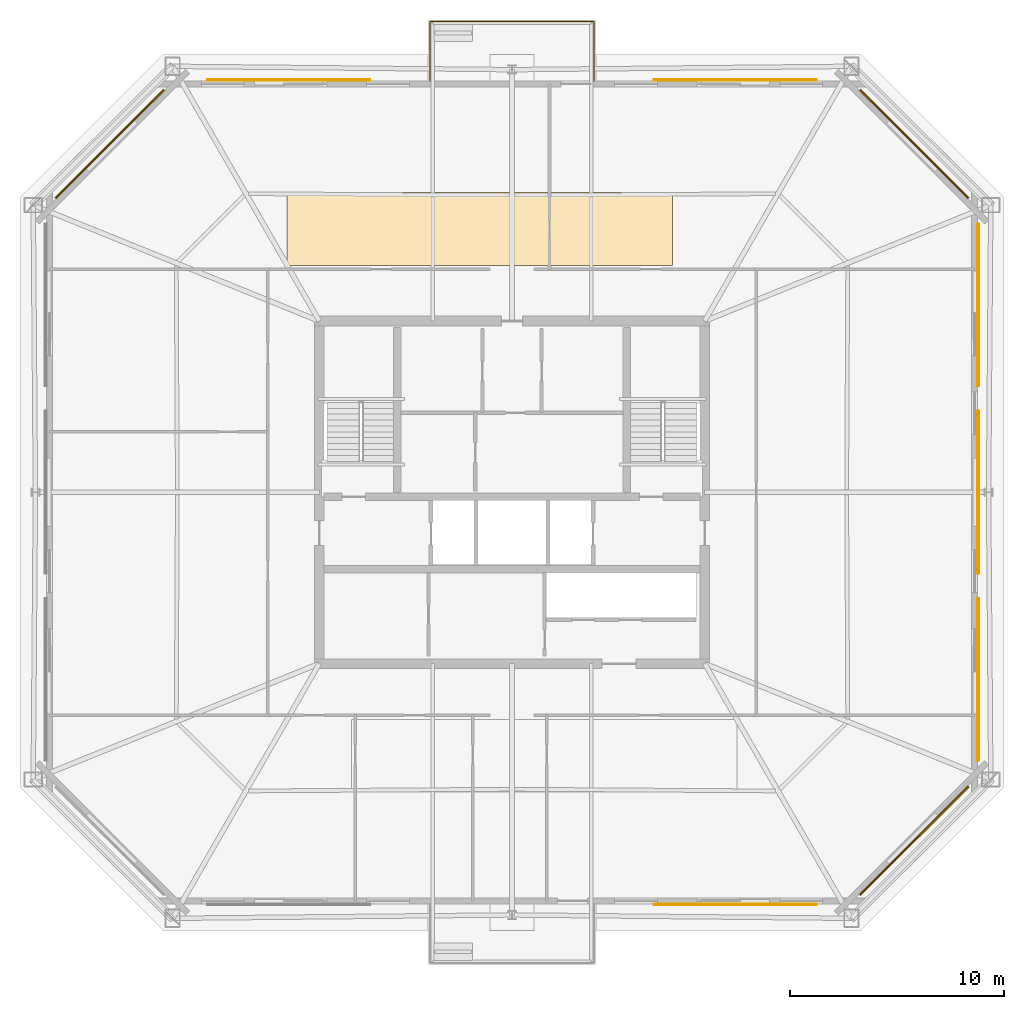
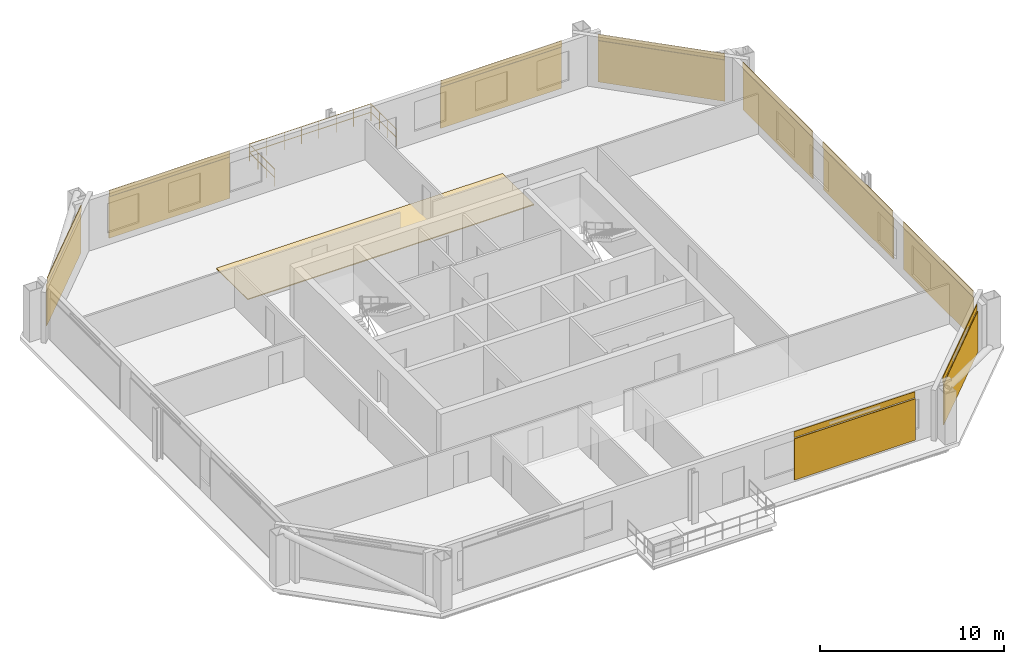
# One storey, part 7 of 7: 10 coverings, 9 shading devices, 1 railing.
"""IFC4 building model written with IfcOpenShell, lengths in metres."""

from ifc_helpers import new_model, si_unit, direction, frame, origin, origin_2d, place, context, subcontext, project, spatial, polyline, rectangle, circle, outline, extrude, material, layer, layer_set, type_object, element, save


model = new_model("IFC4")

# Units and contexts
model_context = context("Model", 3, precision=1e-05, world=origin(), true_north=direction((0.0, 1.0)))
body_context = subcontext(model_context, "Body", "Model", "MODEL_VIEW")
ifc_project = project(units=[si_unit("LENGTHUNIT", "METRE"), si_unit("AREAUNIT", "SQUARE_METRE"), si_unit("VOLUMEUNIT", "CUBIC_METRE"), si_unit("PLANEANGLEUNIT", "RADIAN"), si_unit("MASSUNIT", "GRAM", prefix="KILO")], contexts=[model_context])

# Site, building, storey
site_placement = place(None, origin())
site = spatial("IfcSite", under=ifc_project, at=site_placement, CompositionType="ELEMENT")
building_placement = place(site_placement, origin())
building = spatial("IfcBuilding", under=site, at=building_placement, Name="Caelvoria Tower", CompositionType="ELEMENT")
storey_placement = place(building_placement, frame((0.0, 0.0, 187.800048828125)))
storey = spatial("IfcBuildingStorey", under=building, at=storey_placement, Name="L49", CompositionType="ELEMENT", Elevation=187.800048828125)

# Railing
ifc_material_1 = material(Name="Bronze Anodised Aluminium and Stainless Steel", Category="steel")
railing_type = type_object("IfcRailingType", Name="Exterior Terrace and Balcony Guardrail 1150", PredefinedType="GUARDRAIL", material=ifc_material_1)
railing_placement = place(storey_placement, frame((42.179931640625, 51.219970703125, 0.0)))
element("IfcRailing", 1, at=railing_placement, inside=storey, type_object=railing_type, Name="Tree Balcony Guardrail TB-L49-N", PredefinedType="GUARDRAIL", context=body_context, shape_type="SweptSolid", body=[
    extrude(circle(Radius=0.02392578125, at=origin_2d()), frame((0.0, 0.0, 1.1259765625), z_axis=(0.0, 1.0, 0.0), x_axis=(-1.0, 0.0, 0.0)), (0.0, 0.0, 1.0), 2.760009765625),
    extrude(circle(Radius=0.02392578125, at=origin_2d()), frame((0.0, 0.0, 0.574951171875), z_axis=(0.0, 1.0, 0.0), x_axis=(-1.0, 0.0, 0.0)), (0.0, 0.0, 1.0), 2.760009765625),
    extrude(circle(Radius=0.02392578125, at=origin_2d()), frame((0.0, 2.760009765625, 1.1259765625), z_axis=(1.0, 0.0, 0.0), x_axis=(0.0, 1.0, 0.0)), (0.0, 0.0, 1.0), 7.64013671875),
    extrude(circle(Radius=0.02392578125, at=origin_2d()), frame((0.0, 2.760009765625, 0.574951171875), z_axis=(1.0, 0.0, 0.0), x_axis=(0.0, 1.0, 0.0)), (0.0, 0.0, 1.0), 7.64013671875),
    extrude(circle(Radius=0.02392578125, at=origin_2d()), frame((7.64013671875, 2.760009765625, 1.1259765625), z_axis=(0.0, -1.0, 0.0), x_axis=(1.0, 0.0, 0.0)), (0.0, 0.0, 1.0), 2.760009765625),
    extrude(circle(Radius=0.02392578125, at=origin_2d()), frame((7.64013671875, 2.760009765625, 0.574951171875), z_axis=(0.0, -1.0, 0.0), x_axis=(1.0, 0.0, 0.0)), (0.0, 0.0, 1.0), 2.760009765625),
    extrude(circle(Radius=0.02099609375, at=origin_2d()), origin(), (0.0, 0.0, 1.0), 1.101806640625),
    extrude(circle(Radius=0.02099609375, at=origin_2d()), frame((0.0, 0.919921875, 0.0)), (0.0, 0.0, 1.0), 1.101806640625),
    extrude(circle(Radius=0.02099609375, at=origin_2d()), frame((0.0, 1.840087890625, 0.0)), (0.0, 0.0, 1.0), 1.101806640625),
    extrude(circle(Radius=0.02099609375, at=origin_2d()), frame((0.0, 2.760009765625, 0.0)), (0.0, 0.0, 1.0), 1.101806640625),
    extrude(circle(Radius=0.02099609375, at=origin_2d()), frame((1.091552734375, 2.760009765625, 0.0)), (0.0, 0.0, 1.0), 1.101806640625),
    extrude(circle(Radius=0.02099609375, at=origin_2d()), frame((2.182861328125, 2.760009765625, 0.0)), (0.0, 0.0, 1.0), 1.101806640625),
    extrude(circle(Radius=0.02099609375, at=origin_2d()), frame((3.2744140625, 2.760009765625, 0.0)), (0.0, 0.0, 1.0), 1.101806640625),
    extrude(circle(Radius=0.02099609375, at=origin_2d()), frame((4.36572265625, 2.760009765625, 0.0)), (0.0, 0.0, 1.0), 1.101806640625),
    extrude(circle(Radius=0.02099609375, at=origin_2d()), frame((5.457275390625, 2.760009765625, 0.0)), (0.0, 0.0, 1.0), 1.101806640625),
    extrude(circle(Radius=0.02099609375, at=origin_2d()), frame((6.548583984375, 2.760009765625, 0.0)), (0.0, 0.0, 1.0), 1.101806640625),
    extrude(circle(Radius=0.02099609375, at=origin_2d()), frame((7.64013671875, 2.760009765625, 0.0)), (0.0, 0.0, 1.0), 1.101806640625),
    extrude(circle(Radius=0.02099609375, at=origin_2d()), frame((7.64013671875, 1.840087890625, 0.0)), (0.0, 0.0, 1.0), 1.101806640625),
    extrude(circle(Radius=0.02099609375, at=origin_2d()), frame((7.64013671875, 0.919921875, 0.0)), (0.0, 0.0, 1.0), 1.101806640625),
    extrude(circle(Radius=0.02099609375, at=origin_2d()), frame((7.64013671875, 0.0, 0.0)), (0.0, 0.0, 1.0), 1.101806640625),
])

# Coverings
ifc_material_2 = material(Name="Perforated Architectural Bronze Cladding Screen", Category="bronze")
ifc_layer_1 = layer(ifc_material_2, 0.0400390625, Name="Perforated Architectural Bronze Cladding Screen")
ifc_layer_set_1 = layer_set([ifc_layer_1], Name="Perforated Bronze Louvre Cladding Band 40 - Perforated Architectural Bronze Cladding Screen")
covering_type_1 = type_object("IfcCoveringType", Name="Perforated Bronze Louvre Cladding Band 40", PredefinedType="CLADDING", material=ifc_layer_set_1)
covering_1_placement = place(storey_placement, frame((56.4267578125, 12.76806640625, 2.955078125), z_axis=(0.0, 0.0, 1.0), x_axis=(1.0, 0.0, 0.0)))
element("IfcCovering", 2, at=covering_1_placement, inside=storey, type_object=covering_type_1, Name="Perforated Bronze Screen Band L49-E0-02", PredefinedType="CLADDING", context=body_context, shape_type="SweptSolid", body=[
    extrude(rectangle(XDim=7.60009765625, YDim=0.0400390625, at=origin_2d()), origin(), (0.0, 0.0, 1.0), 0.39990234375),
])
covering_2_placement = place(storey_placement, frame((64.771728515625, 15.748291015625, 2.955078125), z_axis=(0.0, 0.0, 1.0), x_axis=(0.707106781187, 0.707106781187, 0.0)))
element("IfcCovering", 3, at=covering_2_placement, inside=storey, type_object=covering_type_1, Name="Perforated Bronze Screen Band L49-E1-00", PredefinedType="CLADDING", context=body_context, shape_type="SweptSolid", body=[
    extrude(rectangle(XDim=7.151611328125, YDim=0.0400390625, at=origin_2d()), origin(), (0.0, 0.0, 1.0), 0.39990234375),
])
for number, where, z_axis, x_axis, name in (
    (4, (67.751953125, 23.25341796875, 2.955078125), (0.0, 0.0, 1.0), (0.0, 1.0, 0.0), "Perforated Bronze Screen Band L49-E2-00"),
    (5, (67.751953125, 32.0, 2.955078125), (0.0, 0.0, 1.0), (0.0, 1.0, 0.0), "Perforated Bronze Screen Band L49-E2-01"),
    (6, (67.751953125, 40.74658203125, 2.955078125), (0.0, 0.0, 1.0), (0.0, 1.0, 0.0), "Perforated Bronze Screen Band L49-E2-02"),
):
    element("IfcCovering", number, at=place(storey_placement, frame(where, z_axis=z_axis, x_axis=x_axis)), inside=storey, type_object=covering_type_1, Name=name, PredefinedType="CLADDING", context=body_context, shape_type="SweptSolid", body=[
        extrude(rectangle(XDim=7.60009765625, YDim=0.0400390625, at=origin_2d()), origin(), (0.0, 0.0, 1.0), 0.39990234375),
    ])
covering_3_placement = place(storey_placement, frame((64.771728515625, 48.251708984375, 2.955078125), z_axis=(0.0, 0.0, 1.0), x_axis=(-0.707106781187, 0.707106781187, 0.0)))
element("IfcCovering", 7, at=covering_3_placement, inside=storey, type_object=covering_type_1, Name="Perforated Bronze Screen Band L49-E3-00", PredefinedType="CLADDING", context=body_context, shape_type="SweptSolid", body=[
    extrude(rectangle(XDim=7.151611328125, YDim=0.0400390625, at=origin_2d()), origin(), (0.0, 0.0, 1.0), 0.39990234375),
])
for number, where, z_axis, x_axis, name in (
    (8, (56.4267578125, 51.23193359375, 2.955078125), (0.0, 0.0, 1.0), (-1.0, 0.0, 0.0), "Perforated Bronze Screen Band L49-E4-00"),
    (9, (35.5732421875, 51.23193359375, 2.955078125), (0.0, 0.0, 1.0), (-1.0, 0.0, 0.0), "Perforated Bronze Screen Band L49-E4-02"),
):
    element("IfcCovering", number, at=place(storey_placement, frame(where, z_axis=z_axis, x_axis=x_axis)), inside=storey, type_object=covering_type_1, Name=name, PredefinedType="CLADDING", context=body_context, shape_type="SweptSolid", body=[
        extrude(rectangle(XDim=7.60009765625, YDim=0.0400390625, at=origin_2d()), origin(), (0.0, 0.0, 1.0), 0.39990234375),
    ])
covering_4_placement = place(storey_placement, frame((27.228271484375, 48.251708984375, 2.955078125), z_axis=(0.0, 0.0, 1.0), x_axis=(-0.707106781187, -0.707106781187, 0.0)))
element("IfcCovering", 10, at=covering_4_placement, inside=storey, type_object=covering_type_1, Name="Perforated Bronze Screen Band L49-E5-00", PredefinedType="CLADDING", context=body_context, shape_type="SweptSolid", body=[
    extrude(rectangle(XDim=7.151611328125, YDim=0.0400390625, at=origin_2d()), origin(), (0.0, 0.0, 1.0), 0.39990234375),
])

# Shading devices
ifc_material_3 = material(Name="Perforated Architectural Bronze Alloy Panel", Category="bronze")
ifc_layer_2 = layer(ifc_material_3, 0.044921875, Name="Perforated Architectural Bronze Alloy Panel")
ifc_layer_set_2 = layer_set([ifc_layer_2], Name="Perforated Bronze Solar Screen Panel SCREEN - Perforated Architectural Bronze Alloy Panel")
shading_device_type = type_object("IfcShadingDeviceType", Name="Perforated Bronze Solar Screen Panel SCREEN", PredefinedType="USERDEFINED", material=ifc_layer_set_2)
shading_device_1_placement = place(storey_placement, frame((56.4267578125, 12.72509765625, 0.159912109375), z_axis=(0.0, 0.0, 1.0), x_axis=(1.0, 0.0, 0.0)))
element("IfcShadingDevice", 11, at=shading_device_1_placement, inside=storey, type_object=shading_device_type, Name="Perforated Bronze Solar Screen L49-E0-02", ObjectType="SCREEN", PredefinedType="USERDEFINED", context=body_context, shape_type="SweptSolid", body=[
    extrude(rectangle(XDim=7.60009765625, YDim=0.044921875, at=origin_2d()), origin(), (0.0, 0.0, 1.0), 2.75),
])
shading_device_2_placement = place(storey_placement, frame((64.802001953125, 15.718017578125, 0.159912109375), z_axis=(0.0, 0.0, 1.0), x_axis=(0.707106781187, 0.707106781187, 0.0)))
element("IfcShadingDevice", 12, at=shading_device_2_placement, inside=storey, type_object=shading_device_type, Name="Perforated Bronze Solar Screen L49-E1-00", ObjectType="SCREEN", PredefinedType="USERDEFINED", context=body_context, shape_type="SweptSolid", body=[
    extrude(rectangle(XDim=7.151611328125, YDim=0.044921875, at=origin_2d()), origin(), (0.0, 0.0, 1.0), 2.75),
])
for number, where, z_axis, x_axis, name in (
    (13, (67.794921875, 23.25341796875, 0.159912109375), (0.0, 0.0, 1.0), (0.0, 1.0, 0.0), "Perforated Bronze Solar Screen L49-E2-00"),
    (14, (67.794921875, 32.0, 0.159912109375), (0.0, 0.0, 1.0), (0.0, 1.0, 0.0), "Perforated Bronze Solar Screen L49-E2-01"),
    (15, (67.794921875, 40.74658203125, 0.159912109375), (0.0, 0.0, 1.0), (0.0, 1.0, 0.0), "Perforated Bronze Solar Screen L49-E2-02"),
):
    element("IfcShadingDevice", number, at=place(storey_placement, frame(where, z_axis=z_axis, x_axis=x_axis)), inside=storey, type_object=shading_device_type, Name=name, ObjectType="SCREEN", PredefinedType="USERDEFINED", context=body_context, shape_type="SweptSolid", body=[
        extrude(rectangle(XDim=7.60009765625, YDim=0.044921875, at=origin_2d()), origin(), (0.0, 0.0, 1.0), 2.75),
    ])
shading_device_3_placement = place(storey_placement, frame((64.802001953125, 48.281982421875, 0.159912109375), z_axis=(0.0, 0.0, 1.0), x_axis=(-0.707106781187, 0.707106781187, 0.0)))
element("IfcShadingDevice", 16, at=shading_device_3_placement, inside=storey, type_object=shading_device_type, Name="Perforated Bronze Solar Screen L49-E3-00", ObjectType="SCREEN", PredefinedType="USERDEFINED", context=body_context, shape_type="SweptSolid", body=[
    extrude(rectangle(XDim=7.151611328125, YDim=0.044921875, at=origin_2d()), origin(), (0.0, 0.0, 1.0), 2.75),
])
for number, where, z_axis, x_axis, name in (
    (17, (56.4267578125, 51.27490234375, 0.159912109375), (0.0, 0.0, 1.0), (-1.0, 0.0, 0.0), "Perforated Bronze Solar Screen L49-E4-00"),
    (18, (35.5732421875, 51.27490234375, 0.159912109375), (0.0, 0.0, 1.0), (-1.0, 0.0, 0.0), "Perforated Bronze Solar Screen L49-E4-02"),
):
    element("IfcShadingDevice", number, at=place(storey_placement, frame(where, z_axis=z_axis, x_axis=x_axis)), inside=storey, type_object=shading_device_type, Name=name, ObjectType="SCREEN", PredefinedType="USERDEFINED", context=body_context, shape_type="SweptSolid", body=[
        extrude(rectangle(XDim=7.60009765625, YDim=0.044921875, at=origin_2d()), origin(), (0.0, 0.0, 1.0), 2.75),
    ])
shading_device_4_placement = place(storey_placement, frame((27.197998046875, 48.281982421875, 0.159912109375), z_axis=(0.0, 0.0, 1.0), x_axis=(-0.707106781187, -0.707106781187, 0.0)))
element("IfcShadingDevice", 19, at=shading_device_4_placement, inside=storey, type_object=shading_device_type, Name="Perforated Bronze Solar Screen L49-E5-00", ObjectType="SCREEN", PredefinedType="USERDEFINED", context=body_context, shape_type="SweptSolid", body=[
    extrude(rectangle(XDim=7.151611328125, YDim=0.044921875, at=origin_2d()), origin(), (0.0, 0.0, 1.0), 2.75),
])

# Covering
ifc_material_4 = material(Name="Calcium-Sulphate Raised Floor Tile", Category="gypsum")
ifc_layer_3 = layer(ifc_material_4, 0.06005859375, Name="Calcium-Sulphate Raised Floor Tile")
ifc_layer_set_3 = layer_set([ifc_layer_3], Name="Raised Access Office Floor System 120 - Calcium-Sulphate Raised Floor Tile")
covering_type_2 = type_object("IfcCoveringType", Name="Raised Access Office Floor System 120", PredefinedType="FLOORING", material=ifc_layer_set_3)
covering_5_placement = place(storey_placement, origin())
element("IfcCovering", 20, at=covering_5_placement, inside=storey, type_object=covering_type_2, Name="Raised Access Flooring L49", PredefinedType="FLOORING", context=body_context, shape_type="SweptSolid", body=[
    extrude(outline(polyline([(35.5, 42.60009765625), (53.5, 42.60009765625), (53.5, 46.0), (35.5, 46.0), (35.5, 42.60009765625)])), origin(), (0.0, 0.0, 1.0), 0.06005859375),
])

save(model, "model.ifc")
